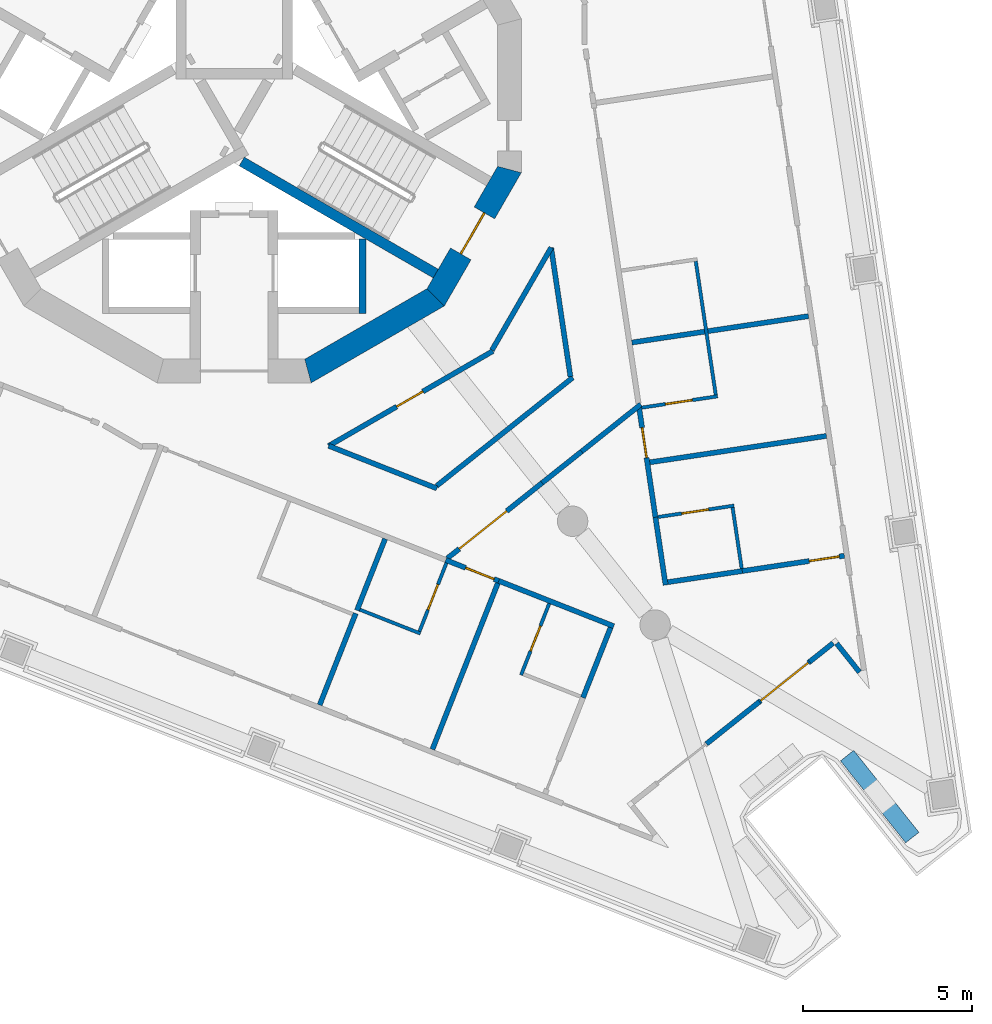
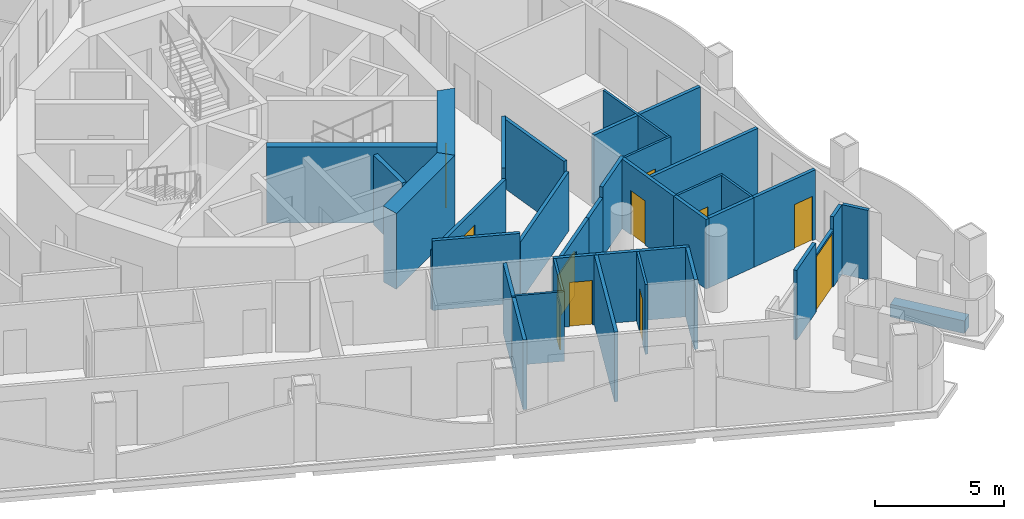
# One storey, part 5 of 16: 36 walls, 11 doors, 11 openings.
"""IFC4 building model written with IfcOpenShell, lengths in metres."""

import ifcopenshell
import ifcopenshell.guid

model = None  # the IFC model being written
_history = None  # IfcOwnerHistory: only IFC2X3 demands one
_inside = {}  # id of a spatial element -> (the spatial element, [elements in it])
_under = {}  # id of a project, library or spatial element -> (it, [spatial elements below it])
_declared = {}  # id of a project -> (the project, [libraries it declares])
_typed = {}  # id of a type object -> (the type object, [elements of that type])
_made_of = {}  # id of a material, layer set ... -> (it, [elements and type objects made of it])


def new_model(schema):
    """Start an empty IFC model of exactly this schema.

    Asked for "IFC4X3", IfcOpenShell would pick the latest addendum, in which some entities
    have other attributes; the version numbers below select the first issue.
    IFC2X3 requires an IfcOwnerHistory on every rooted entity: one is made here for all.
    """
    global model, _history
    if schema == "IFC4X3":
        model = ifcopenshell.file(schema_version=(4, 3, 0, 0))
    else:
        model = ifcopenshell.file(schema=schema)
    _inside.clear()
    _under.clear()
    _declared.clear()
    _typed.clear()
    _made_of.clear()
    _history = None
    if model.schema == "IFC2X3":
        org = make("IfcOrganization", Name="unknown")
        user = make(
            "IfcPersonAndOrganization",
            ThePerson=make("IfcPerson", FamilyName="unknown"),
            TheOrganization=org,
        )
        app = make(
            "IfcApplication",
            ApplicationDeveloper=org,
            Version="unknown",
            ApplicationFullName="unknown",
            ApplicationIdentifier="unknown",
        )
        _history = make(
            "IfcOwnerHistory",
            OwningUser=user,
            OwningApplication=app,
            ChangeAction="ADDED",
            CreationDate=0,
        )
    return model


def make(cls, **values):
    """One entity of the class cls with the attributes given. An attribute that is None is left unset."""
    return model.create_entity(
        cls, **{name: value for name, value in values.items() if value is not None}
    )


def rooted(cls, **values):
    """An entity with a GlobalId (a new one), such as an element, a storey or a relation."""
    return make(cls, GlobalId=ifcopenshell.guid.new(), OwnerHistory=_history, **values)


def si_unit(unit_type, name, prefix=None):
    """IfcSIUnit, for example si_unit("LENGTHUNIT", "METRE", prefix="MILLI")."""
    return make("IfcSIUnit", UnitType=unit_type, Prefix=prefix, Name=name)


def assignment(units):
    """IfcUnitAssignment: the units of a project."""
    return None if units is None else make("IfcUnitAssignment", Units=units)


def point(xyz):
    """IfcCartesianPoint."""
    return None if xyz is None else make("IfcCartesianPoint", Coordinates=xyz)


def direction(xyz):
    """IfcDirection."""
    return None if xyz is None else make("IfcDirection", DirectionRatios=xyz)


def frame(location, z_axis=None, x_axis=None):
    """IfcAxis2Placement3D, a coordinate frame: its origin and axes. An axis left out is left unset."""
    return make(
        "IfcAxis2Placement3D",
        Location=point(location),
        Axis=direction(z_axis),
        RefDirection=direction(x_axis),
    )


def frame_2d(location, x_axis=None):
    """IfcAxis2Placement2D, a coordinate frame in the plane: its origin and x axis."""
    return make(
        "IfcAxis2Placement2D", Location=point(location), RefDirection=direction(x_axis)
    )


def origin():
    """The frame at (0, 0, 0) with its axes left unset."""
    return frame((0.0, 0.0, 0.0))


def place(relative_to, where):
    """IfcLocalPlacement: puts the frame where relative to a parent placement (None: the world)."""
    return make(
        "IfcLocalPlacement", PlacementRelTo=relative_to, RelativePlacement=where
    )


def context(
    kind, dimensions, precision=None, world=None, true_north=None, identifier=None
):
    """IfcGeometricRepresentationContext, for example the 3D "Model" context."""
    return make(
        "IfcGeometricRepresentationContext",
        ContextIdentifier=identifier,
        ContextType=kind,
        CoordinateSpaceDimension=dimensions,
        Precision=precision,
        WorldCoordinateSystem=world,
        TrueNorth=true_north,
    )


def subcontext(parent, identifier, kind, view, scale=None):
    """IfcGeometricRepresentationSubContext, for example "Body" below "Model"."""
    return make(
        "IfcGeometricRepresentationSubContext",
        ContextIdentifier=identifier,
        ContextType=kind,
        ParentContext=parent,
        TargetScale=scale,
        TargetView=view,
    )


def project(units=None, contexts=None):
    """IfcProject with its units and contexts."""
    return rooted(
        "IfcProject",
        Name="project",
        RepresentationContexts=contexts,
        UnitsInContext=assignment(units),
    )


def spatial(cls, under=None, at=None, **own):
    """A site, building, storey or space (cls), placed at a placement, below another one or the project."""
    s = rooted(cls, ObjectPlacement=at, **own)
    if under is not None:
        _under.setdefault(under.id(), (under, []))[1].append(s)
    return s


def polyline(points):
    """IfcPolyline through the points."""
    return make("IfcPolyline", Points=[point(p) for p in points])


def profile(cls, at=None, kind="AREA", **sizes):
    """A parametric profile (cls). Its sizes go by their IFC names, for example OverallWidth=200.0."""
    return make(cls, ProfileType=kind, Position=at, **sizes)


def rectangle(**sizes):
    """IfcRectangleProfileDef."""
    return profile("IfcRectangleProfileDef", **sizes)


def outline(outer, holes=None, kind="AREA"):
    """IfcArbitraryClosedProfileDef: a profile drawn as a closed curve; with holes, ...WithVoids."""
    if holes is None:
        return make("IfcArbitraryClosedProfileDef", ProfileType=kind, OuterCurve=outer)
    return make(
        "IfcArbitraryProfileDefWithVoids",
        ProfileType=kind,
        OuterCurve=outer,
        InnerCurves=holes,
    )


def extrude(swept, where, along, depth):
    """IfcExtrudedAreaSolid: the profile swept, set in the frame where, extruded along a direction by depth."""
    return make(
        "IfcExtrudedAreaSolid",
        SweptArea=swept,
        Position=where,
        ExtrudedDirection=direction(along),
        Depth=depth,
    )


def shape(context_of_items, identifier, shape_type, items):
    """IfcShapeRepresentation: the items that make up one representation, for example the "Body"."""
    return make(
        "IfcShapeRepresentation",
        ContextOfItems=context_of_items,
        RepresentationIdentifier=identifier,
        RepresentationType=shape_type,
        Items=items,
    )


def material(Name=None, Category=None):
    """IfcMaterial."""
    return make("IfcMaterial", Name=Name, Category=Category)


def layer(
    of_material, thickness, ventilated=None, Name=None, Category=None, Priority=None
):
    """IfcMaterialLayer: one layer of a wall or slab, of a material (None: an air gap)."""
    return make(
        "IfcMaterialLayer",
        Material=of_material,
        LayerThickness=thickness,
        IsVentilated=ventilated,
        Name=Name,
        Category=Category,
        Priority=Priority,
    )


def layer_set(layers, Name=None):
    """IfcMaterialLayerSet."""
    return make("IfcMaterialLayerSet", MaterialLayers=layers, LayerSetName=Name)


def made_of(thing, what):
    """Note that an element or type object is made of a material, layer set ...; save() writes the relation."""
    if what is not None:
        _made_of.setdefault(what.id(), (what, []))[1].append(thing)
    return thing


def type_object(cls, material=None, **own):
    """A type object (cls), such as IfcWallType, which elements share."""
    return made_of(rooted(cls, **own), material)


def element(
    cls,
    number,
    at=None,
    inside=None,
    cuts=None,
    type_object=None,
    material=None,
    context=None,
    identifier="Body",
    shape_type=None,
    held_by="IfcProductDefinitionShape",
    body=None,
    shapes=None,
    **own,
):
    """One element of the class cls, such as IfcWall. Its Tag is "e" and its number.

    at: its placement. inside: the storey or other place that contains it. cuts: it is an
    opening in that element (IfcRelVoidsElement). A single representation is given by context,
    identifier, shape_type and body (its items); several are given by shapes. held_by: the class
    of the entity that holds the representations. save() writes the other relations.
    """
    e = rooted(cls, Tag="e%d" % number, ObjectPlacement=at, **own)
    if body is not None:
        shapes = [shape(context, identifier, shape_type, body)]
    if shapes is not None:
        e.Representation = make(held_by, Representations=shapes)
    if inside is not None:
        _inside.setdefault(inside.id(), (inside, []))[1].append(e)
    if cuts is not None:
        rooted(
            "IfcRelVoidsElement", RelatingBuildingElement=cuts, RelatedOpeningElement=e
        )
    if type_object is not None:
        _typed.setdefault(type_object.id(), (type_object, []))[1].append(e)
    return made_of(e, material)


def fill(opening, filler):
    """IfcRelFillsElement: the door or window that sits in an opening."""
    return rooted(
        "IfcRelFillsElement",
        RelatingOpeningElement=opening,
        RelatedBuildingElement=filler,
    )


def aggregate(whole, parts):
    """IfcRelAggregates: a whole, such as a stair, and the parts it consists of."""
    return rooted("IfcRelAggregates", RelatingObject=whole, RelatedObjects=parts)


def save(model, path):
    """Write the relations noted so far, then the file.

    IfcRelAggregates (storeys below a building ...), IfcRelContainedInSpatialStructure (elements
    in a storey), IfcRelDefinesByType, IfcRelAssociatesMaterial and IfcRelDeclares: one each for
    every whole, place, type object, material and project.
    """
    for whole, parts in _under.values():
        aggregate(whole, parts)
    for where, things in _inside.values():
        rooted(
            "IfcRelContainedInSpatialStructure",
            RelatedElements=things,
            RelatingStructure=where,
        )
    for kind, things in _typed.values():
        rooted("IfcRelDefinesByType", RelatedObjects=things, RelatingType=kind)
    for what, things in _made_of.values():
        rooted("IfcRelAssociatesMaterial", RelatedObjects=things, RelatingMaterial=what)
    for by, libraries in _declared.values():
        rooted("IfcRelDeclares", RelatingContext=by, RelatedDefinitions=libraries)
    model.write(path)


model = new_model("IFC4")

# Units and contexts
model_context = context("Model", 3, precision=1e-05, world=origin(), true_north=direction((0.0, 1.0)))
body_context = subcontext(model_context, "Body", "Model", "MODEL_VIEW")
ifc_project = project(units=[si_unit("LENGTHUNIT", "METRE"), si_unit("AREAUNIT", "SQUARE_METRE"), si_unit("VOLUMEUNIT", "CUBIC_METRE"), si_unit("PLANEANGLEUNIT", "RADIAN"), si_unit("MASSUNIT", "GRAM", prefix="KILO")], contexts=[model_context])

# Site, building, storey
site_placement = place(None, origin())
site = spatial("IfcSite", under=ifc_project, at=site_placement, CompositionType="ELEMENT")
building_placement = place(site_placement, origin())
building = spatial("IfcBuilding", under=site, at=building_placement, Name="Trine Commons Tower", CompositionType="ELEMENT")
storey_placement = place(building_placement, frame((0.0, 0.0, 205.199951171875)))
storey = spatial("IfcBuildingStorey", under=building, at=storey_placement, Name="L53", CompositionType="ELEMENT", Elevation=205.199951171875)

# Walls
ifc_material_1 = material(Name="Aluminium-framed insulated wall panel", Category="aluminium")
ifc_layer_1 = layer(ifc_material_1, 0.14990234375)
ifc_layer_set_1 = layer_set([ifc_layer_1], Name="Aluminium-framed insulated wall panel")
wall_type_1 = type_object("IfcWallType", Name="Glazed frame wall 150, EI 60", PredefinedType="SOLIDWALL", material=ifc_layer_set_1)
wall_1_placement = place(storey_placement, frame((98.603759765625, 45.320556640625, 0.0), z_axis=(0.0, 0.0, 1.0), x_axis=(-0.6225008228, 0.782619144676, 0.0)))
element("IfcWall", 1, at=wall_1_placement, inside=storey, type_object=wall_type_1, Name="Glazed frame wall R6", PredefinedType="SOLIDWALL", context=body_context, shape_type="SweptSolid", body=[
    extrude(outline(polyline([(0.1494140625, 0.074951171875), (0.1494140625, -0.074951171875), (1.235107421875, -0.074951171875), (1.235107421875, 0.074951171875), (0.1494140625, 0.074951171875)])), origin(), (0.0, 0.0, 1.0), 3.300048828125),
])
wall_2_placement = place(storey_placement, frame((97.815673828125, 46.367431640625, 0.0), z_axis=(0.0, 0.0, 1.0), x_axis=(-0.78265242488, -0.622458980037, 0.0)))
element("IfcWall", 2, at=wall_2_placement, inside=storey, type_object=wall_type_1, Name="Glazed frame wall P2.1", PredefinedType="SOLIDWALL", context=body_context, shape_type="SweptSolid", body=[
    extrude(outline(polyline([(0.110107421875, -0.074951171875), (1.0, -0.074951171875), (1.0, 0.074951171875), (0.110107421875, 0.074951171875), (0.110107421875, -0.074951171875)])), origin(), (0.0, 0.0, 1.0), 3.300048828125),
])

# Wall, opening, door
wall_3_placement = place(storey_placement, frame((97.033203125, 45.7451171875, 0.0), z_axis=(0.0, 0.0, 1.0), x_axis=(-0.782608167395, -0.622514623384, 0.0)))
wall_3 = element("IfcWall", 3, at=wall_3_placement, inside=storey, type_object=wall_type_1, Name="Glazed frame wall P2.2", PredefinedType="SOLIDWALL", context=body_context, shape_type="SweptSolid", body=[
    extrude(outline(polyline([(0.0, -0.074951171875), (1.89990234375, -0.074951171875), (1.89990234375, 0.074951171875), (0.0, 0.074951171875), (0.0, -0.074951171875)])), origin(), (0.0, 0.0, 1.0), 2.699951171875),
])
opening_1_placement = place(wall_3_placement, frame((0.050048828125, 0.0, 0.0)))
opening_1 = element("IfcOpeningElement", 4, at=opening_1_placement, cuts=wall_3, Name="Opening BD-6P2-01", PredefinedType="OPENING", context=body_context, shape_type="SweptSolid", body=[
    extrude(rectangle(XDim=1.800048828125, YDim=2.60009765625, at=frame_2d((0.89990234375, 1.300048828125))), frame((0.0, 0.0849609375, 0.0), z_axis=(0.0, -1.0, 0.0), x_axis=(1.0, 0.0, 0.0)), (0.0, 0.0, 1.0), 0.169921875),
])
ifc_material_2 = material(Name="Anodised aluminium frame with double glazing", Category="aluminium")
door_type_1 = type_object("IfcDoorType", Name="Sliding loggia door 1800x2600", OperationType="SLIDING_TO_LEFT", PredefinedType="DOOR", material=ifc_material_2)
door_1_placement = place(opening_1_placement, origin())
door_1 = element("IfcDoor", 5, at=door_1_placement, inside=storey, type_object=door_type_1, Name="Loggia door P2 1", OperationType="SLIDING_TO_LEFT", OverallHeight=2.60009765625, OverallWidth=1.800048828125, PredefinedType="DOOR", context=body_context, shape_type="SweptSolid", body=[
    extrude(rectangle(XDim=1.800048828125, YDim=2.60009765625, at=frame_2d((0.89990234375, 1.300048828125))), frame((0.0, 0.02490234375, 0.0), z_axis=(0.0, -1.0, 0.0), x_axis=(1.0, 0.0, 0.0)), (0.0, 0.0, 1.0), 0.050048828125),
])
fill(opening_1, door_1)

# Walls
wall_4_placement = place(storey_placement, frame((95.546142578125, 44.562255859375, 0.0), z_axis=(0.0, 0.0, 1.0), x_axis=(-0.782580779818, -0.622549052733, 0.0)))
element("IfcWall", 6, at=wall_4_placement, inside=storey, type_object=wall_type_1, Name="Glazed frame wall P2.3", PredefinedType="SOLIDWALL", context=body_context, shape_type="SweptSolid", body=[
    extrude(outline(polyline([(0.0, -0.074951171875), (2.0, -0.074951171875), (2.0, 0.074951171875), (0.0, 0.074951171875), (0.0, -0.074951171875)])), origin(), (0.0, 0.0, 1.0), 3.300048828125),
])
ifc_material_3 = material(Name="Planter trough, precast concrete C40/50", Category="concrete")
ifc_layer_2 = layer(ifc_material_3, 0.5)
ifc_layer_set_2 = layer_set([ifc_layer_2], Name="Planter trough, precast concrete C40/50")
wall_type_2 = type_object("IfcWallType", Name="Planter trough 500x600", PredefinedType="PARAPET", material=ifc_layer_set_2)
wall_5_placement = place(storey_placement, frame((100.0732421875, 40.54150390625, 0.0), z_axis=(0.0, 0.0, 1.0), x_axis=(-0.622502736232, 0.782617622715, 0.0)))
element("IfcWall", 7, at=wall_5_placement, inside=storey, type_object=wall_type_2, Name="Planter 7", PredefinedType="PARAPET", context=body_context, shape_type="SweptSolid", body=[
    extrude(rectangle(XDim=3.099853515625, YDim=0.5, at=frame_2d((1.5498046875, 0.0))), origin(), (0.0, 0.0, 1.0), 0.60009765625),
])
ifc_material_4 = material(Name="Concrete C60/75", Category="concrete")
ifc_layer_3 = layer(ifc_material_4, 0.300048828125)
ifc_layer_set_3 = layer_set([ifc_layer_3], Name="Concrete C60/75")
wall_type_3 = type_object("IfcWallType", Name="RC shear wall 300 mm, C60/75", PredefinedType="SHEAR", material=ifc_layer_set_3)
wall_6_placement = place(storey_placement, frame((80.22509765625, 60.552001953125, 0.0), z_axis=(0.0, 0.0, 1.0), x_axis=(0.866009627307, -0.500027324665, 0.0)))
element("IfcWall", 8, at=wall_6_placement, inside=storey, type_object=wall_type_3, Name="Core cross wall SWC-13 L53", PredefinedType="SHEAR", context=body_context, shape_type="SweptSolid", body=[
    extrude(rectangle(XDim=6.631591796875, YDim=0.300048828125, at=frame_2d((3.31591796875, 0.0))), origin(), (0.0, 0.0, 1.0), 3.60009765625),
])
ifc_layer_4 = layer(ifc_material_4, 0.699951171875)
ifc_layer_set_4 = layer_set([ifc_layer_4], Name="Concrete C60/75")
wall_type_4 = type_object("IfcWallType", Name="RC shear wall 700 mm, C60/75", PredefinedType="SHEAR", material=ifc_layer_set_4)
wall_7_placement = place(storey_placement, frame((82.1025390625, 54.302978515625, 0.0), z_axis=(0.0, 0.0, 1.0), x_axis=(0.866034756103, 0.499983800959, 0.0)))
element("IfcWall", 9, at=wall_7_placement, inside=storey, type_object=wall_type_4, Name="Core wall CWF-11 L53", PredefinedType="SHEAR", context=body_context, shape_type="SweptSolid", body=[
    extrude(outline(polyline([(0.0, -0.35009765625), (4.55517578125, -0.35009765625), (4.36767578125, 0.35009765625), (0.1875, 0.35009765625), (0.0, -0.35009765625)])), origin(), (0.0, 0.0, 1.0), 3.60009765625),
])

# Wall, opening, door
wall_8_placement = place(storey_placement, frame((85.91943359375, 56.452392578125, 0.0), z_axis=(0.0, 0.0, 1.0), x_axis=(0.499983800959, 0.866034756103, 0.0)))
wall_8 = element("IfcWall", 10, at=wall_8_placement, inside=storey, type_object=wall_type_4, Name="Core wall CWF-12 L53", PredefinedType="SHEAR", context=body_context, shape_type="SweptSolid", body=[
    extrude(outline(polyline([(0.0, -0.35009765625), (4.55517578125, -0.35009765625), (4.36767578125, 0.35009765625), (0.1875, 0.35009765625), (0.0, -0.35009765625)])), origin(), (0.0, 0.0, 1.0), 3.60009765625),
])
opening_2_placement = place(wall_8_placement, frame((1.577392578125, 0.0, 0.0)))
opening_2 = element("IfcOpeningElement", 11, at=opening_2_placement, cuts=wall_8, Name="Opening K15.03", PredefinedType="OPENING", context=body_context, shape_type="SweptSolid", body=[
    extrude(rectangle(XDim=1.39990234375, YDim=2.10009765625, at=frame_2d((0.699951171875, 1.050048828125))), frame((0.0, 0.35986328125, 0.0), z_axis=(0.0, -1.0, 0.0), x_axis=(1.0, 0.0, 0.0)), (0.0, 0.0, 1.0), 0.719970703125),
])
ifc_material_5 = material(Name="Steel door leaves, fire-rated", Category="steel")
door_type_2 = type_object("IfcDoorType", Name="Stair door, double leaf 1400 x 2100, FD90", OperationType="DOUBLE_DOOR_SINGLE_SWING", PredefinedType="DOOR", material=ifc_material_5)
door_2_placement = place(opening_2_placement, origin())
door_2 = element("IfcDoor", 12, at=door_2_placement, inside=storey, type_object=door_type_2, Name="Stair door to Exit stair ST3C L53", OperationType="DOUBLE_DOOR_SINGLE_SWING", OverallHeight=2.10009765625, OverallWidth=1.39990234375, PredefinedType="DOOR", context=body_context, shape_type="SweptSolid", body=[
    extrude(rectangle(XDim=1.39990234375, YDim=2.10009765625, at=frame_2d((0.699951171875, 1.050048828125))), frame((0.0, 0.02490234375, 0.0), z_axis=(0.0, -1.0, 0.0), x_axis=(1.0, 0.0, 0.0)), (0.0, 0.0, 1.0), 0.050048828125),
])
fill(opening_2, door_2)

# Walls
ifc_material_6 = material(Name="Fire-rated gypsum shaft wall system")
ifc_layer_5 = layer(ifc_material_6, 0.199951171875)
ifc_layer_set_5 = layer_set([ifc_layer_5], Name="Fire-rated gypsum shaft wall system")
wall_type_5 = type_object("IfcWallType", Name="Shaft wall 200 mm, EI 120", PredefinedType="PARTITIONING", material=ifc_layer_set_5)
wall_9_placement = place(storey_placement, frame((83.800048828125, 58.257080078125, 0.0), z_axis=(0.0, 0.0, 1.0), x_axis=(0.0, -1.0, 0.0)))
element("IfcWall", 13, at=wall_9_placement, inside=storey, type_object=wall_type_5, Name="Shaft wall L53", PredefinedType="PARTITIONING", context=body_context, shape_type="SweptSolid", body=[
    extrude(rectangle(XDim=2.20703125, YDim=0.199951171875, at=frame_2d((1.103515625, 0.0))), origin(), (0.0, 0.0, 1.0), 3.300048828125),
])
ifc_material_7 = material(Name="Gypsum plasterboard on steel stud", Category="steel")
ifc_layer_6 = layer(ifc_material_7, 0.14990234375)
ifc_layer_set_6 = layer_set([ifc_layer_6], Name="Gypsum plasterboard on steel stud")
wall_type_6 = type_object("IfcWallType", Name="Unit and corridor wall 150 mm, EI 60", PredefinedType="PARTITIONING", material=ifc_layer_set_6)
wall_10_placement = place(storey_placement, frame((82.53173828125, 44.46728515625, 0.0), z_axis=(0.0, 0.0, 1.0), x_axis=(0.366805887966, 0.9302975011, 0.0)))
element("IfcWall", 14, at=wall_10_placement, inside=storey, type_object=wall_type_6, Name="Partition 064", PredefinedType="PARTITIONING", context=body_context, shape_type="SweptSolid", body=[
    extrude(rectangle(XDim=2.913330078125, YDim=0.14990234375, at=frame_2d((1.45654296875, 0.0))), origin(), (0.0, 0.0, 1.0), 3.300048828125),
])

# Wall, opening, door
wall_11_placement = place(storey_placement, frame((82.798095703125, 52.135009765625, 0.0), z_axis=(0.0, 0.0, 1.0), x_axis=(0.865994393525, 0.500053707499, 0.0)))
wall_11 = element("IfcWall", 15, at=wall_11_placement, inside=storey, type_object=wall_type_6, Name="Partition 067", PredefinedType="PARTITIONING", context=body_context, shape_type="SweptSolid", body=[
    extrude(rectangle(XDim=5.6142578125, YDim=0.14990234375, at=frame_2d((2.80712890625, 0.0))), origin(), (0.0, 0.0, 1.0), 2.800048828125),
])
opening_3_placement = place(wall_11_placement, frame((2.321533203125, 0.0, 0.0)))
opening_3 = element("IfcOpeningElement", 16, at=opening_3_placement, cuts=wall_11, Name="Opening D-6A26", PredefinedType="OPENING", context=body_context, shape_type="SweptSolid", body=[
    extrude(rectangle(XDim=0.89990234375, YDim=2.10009765625, at=frame_2d((0.449951171875, 1.050048828125))), frame((0.0, 0.0849609375, 0.0), z_axis=(0.0, -1.0, 0.0), x_axis=(1.0, 0.0, 0.0)), (0.0, 0.0, 1.0), 0.169921875),
])
ifc_material_8 = material(Name="Timber fire door set", Category="wood")
door_type_3 = type_object("IfcDoorType", Name="Service door 900 x 2100, FD30S", OperationType="NOTDEFINED", PredefinedType="DOOR", material=ifc_material_8)
door_3_placement = place(opening_3_placement, frame((0.89990234375, 0.0, 0.0), z_axis=(0.0, 0.0, 1.0), x_axis=(-1.0, 0.0, 0.0)))
door_3 = element("IfcDoor", 17, at=door_3_placement, inside=storey, type_object=door_type_3, Name="Door D-6A26", OperationType="SINGLE_SWING_RIGHT", OverallHeight=2.10009765625, OverallWidth=0.89990234375, PredefinedType="DOOR", context=body_context, shape_type="SweptSolid", body=[
    extrude(rectangle(XDim=0.89990234375, YDim=2.10009765625, at=frame_2d((0.449951171875, 1.050048828125))), frame((0.0, 0.02490234375, 0.0), z_axis=(0.0, -1.0, 0.0), x_axis=(1.0, 0.0, 0.0)), (0.0, 0.0, 1.0), 0.050048828125),
])
fill(opening_3, door_3)

# Walls
wall_12_placement = place(storey_placement, frame((82.801025390625, 52.136962890625, 0.0), z_axis=(0.0, 0.0, 1.0), x_axis=(0.930387129981, -0.366578488685, 0.0)))
element("IfcWall", 18, at=wall_12_placement, inside=storey, type_object=wall_type_6, Name="Partition 068", PredefinedType="PARTITIONING", context=body_context, shape_type="SweptSolid", body=[
    extrude(rectangle(XDim=3.441162109375, YDim=0.14990234375, at=frame_2d((1.720703125, 0.0))), origin(), (0.0, 0.0, 1.0), 3.300048828125),
])
wall_13_placement = place(storey_placement, frame((83.6357421875, 47.267578125, 0.0), z_axis=(0.0, 0.0, 1.0), x_axis=(0.366482291334, 0.930425026608, 0.0)))
element("IfcWall", 19, at=wall_13_placement, inside=storey, type_object=wall_type_6, Name="Partition 072", PredefinedType="PARTITIONING", context=body_context, shape_type="SweptSolid", body=[
    extrude(rectangle(XDim=2.27490234375, YDim=0.14990234375, at=frame_2d((1.137451171875, 0.0))), origin(), (0.0, 0.0, 1.0), 3.300048828125),
])
wall_14_placement = place(storey_placement, frame((85.86865234375, 43.152099609375, 0.0), z_axis=(0.0, 0.0, 1.0), x_axis=(0.366408201445, 0.930454206242, 0.0)))
element("IfcWall", 20, at=wall_14_placement, inside=storey, type_object=wall_type_6, Name="Partition 080", PredefinedType="PARTITIONING", context=body_context, shape_type="SweptSolid", body=[
    extrude(rectangle(XDim=5.285888671875, YDim=0.14990234375, at=frame_2d((2.64306640625, 0.0))), origin(), (0.0, 0.0, 1.0), 3.300048828125),
])
wall_15_placement = place(storey_placement, frame((85.99169921875, 50.94970703125, 0.0), z_axis=(0.0, 0.0, 1.0), x_axis=(0.782530221945, 0.622612601657, 0.0)))
element("IfcWall", 21, at=wall_15_placement, inside=storey, type_object=wall_type_6, Name="Partition 081", PredefinedType="PARTITIONING", context=body_context, shape_type="SweptSolid", body=[
    extrude(rectangle(XDim=5.152587890625, YDim=0.14990234375, at=frame_2d((2.576171875, 0.0))), origin(), (0.0, 0.0, 1.0), 2.800048828125),
])

# Wall, opening, door
wall_16_placement = place(storey_placement, frame((86.311767578125, 48.80859375, 0.0), z_axis=(0.0, 0.0, 1.0), x_axis=(0.782487894098, 0.622665797672, 0.0)))
wall_16 = element("IfcWall", 22, at=wall_16_placement, inside=storey, type_object=wall_type_6, Name="Partition 082", PredefinedType="PARTITIONING", context=body_context, shape_type="SweptSolid", body=[
    extrude(rectangle(XDim=3.583740234375, YDim=0.14990234375, at=frame_2d((1.7919921875, 0.0))), origin(), (0.0, 0.0, 1.0), 2.800048828125),
])
opening_4_placement = place(wall_16_placement, frame((0.44677734375, 0.0, 0.0)))
opening_4 = element("IfcOpeningElement", 23, at=opening_4_placement, cuts=wall_16, Name="Opening D-6A02", PredefinedType="OPENING", context=body_context, shape_type="SweptSolid", body=[
    extrude(rectangle(XDim=1.800048828125, YDim=2.10009765625, at=frame_2d((0.89990234375, 1.050048828125))), frame((0.0, 0.0849609375, 0.0), z_axis=(0.0, -1.0, 0.0), x_axis=(1.0, 0.0, 0.0)), (0.0, 0.0, 1.0), 0.169921875),
])
door_type_4 = type_object("IfcDoorType", Name="Cluster entrance door 1800 x 2100, double leaf, FD30S", OperationType="DOUBLE_DOOR_DOUBLE_SWING", PredefinedType="DOOR", material=ifc_material_8)
door_4_placement = place(opening_4_placement, frame((1.800048828125, 0.0, 0.0), z_axis=(0.0, 0.0, 1.0), x_axis=(-1.0, 0.0, 0.0)))
door_4 = element("IfcDoor", 24, at=door_4_placement, inside=storey, type_object=door_type_4, Name="Door D-6A02", OperationType="DOUBLE_DOOR_DOUBLE_SWING", OverallHeight=2.10009765625, OverallWidth=1.800048828125, PredefinedType="DOOR", context=body_context, shape_type="SweptSolid", body=[
    extrude(rectangle(XDim=1.800048828125, YDim=2.10009765625, at=frame_2d((0.89990234375, 1.050048828125))), frame((0.0, 0.02490234375, 0.0), z_axis=(0.0, -1.0, 0.0), x_axis=(1.0, 0.0, 0.0)), (0.0, 0.0, 1.0), 0.050048828125),
])
fill(opening_4, door_4)

wall_17_placement = place(storey_placement, frame((86.261474609375, 48.75927734375, 0.0), z_axis=(0.0, 0.0, 1.0), x_axis=(0.930348637747, -0.366676168085, 0.0)))
wall_17 = element("IfcWall", 25, at=wall_17_placement, inside=storey, type_object=wall_type_6, Name="Partition 083", PredefinedType="PARTITIONING", context=body_context, shape_type="SweptSolid", body=[
    extrude(rectangle(XDim=1.689208984375, YDim=0.14990234375, at=frame_2d((0.8447265625, 0.0))), origin(), (0.0, 0.0, 1.0), 3.300048828125),
])
opening_5_placement = place(wall_17_placement, frame((0.63916015625, 0.0, 0.0)))
opening_5 = element("IfcOpeningElement", 26, at=opening_5_placement, cuts=wall_17, Name="Opening D-6A21", PredefinedType="OPENING", context=body_context, shape_type="SweptSolid", body=[
    extrude(rectangle(XDim=0.89990234375, YDim=2.10009765625, at=frame_2d((0.449951171875, 1.050048828125))), frame((0.0, 0.0849609375, 0.0), z_axis=(0.0, -1.0, 0.0), x_axis=(1.0, 0.0, 0.0)), (0.0, 0.0, 1.0), 0.169921875),
])
door_type_5 = type_object("IfcDoorType", Name="Bedroom door 900 x 2100, FD30S", OperationType="NOTDEFINED", PredefinedType="DOOR", material=ifc_material_8)
door_5_placement = place(opening_5_placement, frame((0.89990234375, 0.0, 0.0), z_axis=(0.0, 0.0, 1.0), x_axis=(-1.0, 0.0, 0.0)))
door_5 = element("IfcDoor", 27, at=door_5_placement, inside=storey, type_object=door_type_5, Name="Door D-6A21", OperationType="SINGLE_SWING_LEFT", OverallHeight=2.10009765625, OverallWidth=0.89990234375, PredefinedType="DOOR", context=body_context, shape_type="SweptSolid", body=[
    extrude(rectangle(XDim=0.89990234375, YDim=2.10009765625, at=frame_2d((0.449951171875, 1.050048828125))), frame((0.0, 0.02490234375, 0.0), z_axis=(0.0, -1.0, 0.0), x_axis=(1.0, 0.0, 0.0)), (0.0, 0.0, 1.0), 0.050048828125),
])
fill(opening_5, door_5)

# Walls
wall_18_placement = place(storey_placement, frame((87.632568359375, 54.969970703125, 0.0), z_axis=(0.0, 0.0, 1.0), x_axis=(0.50005009493, 0.865996479531, 0.0)))
element("IfcWall", 28, at=wall_18_placement, inside=storey, type_object=wall_type_6, Name="Partition 086", PredefinedType="PARTITIONING", context=body_context, shape_type="SweptSolid", body=[
    extrude(rectangle(XDim=3.504638671875, YDim=0.14990234375, at=frame_2d((1.75244140625, 0.0))), origin(), (0.0, 0.0, 1.0), 3.300048828125),
])
wall_19_placement = place(storey_placement, frame((87.8330078125, 48.139892578125, 0.0), z_axis=(0.0, 0.0, 1.0), x_axis=(0.930350489768, -0.366671469014, 0.0)))
element("IfcWall", 29, at=wall_19_placement, inside=storey, type_object=wall_type_6, Name="Partition 087", PredefinedType="PARTITIONING", context=body_context, shape_type="SweptSolid", body=[
    extrude(rectangle(XDim=3.66064453125, YDim=0.14990234375, at=frame_2d((1.830322265625, 0.0))), origin(), (0.0, 0.0, 1.0), 3.300048828125),
])
wall_20_placement = place(storey_placement, frame((89.115966796875, 51.0400390625, 0.0), z_axis=(0.0, 0.0, 1.0), x_axis=(0.7828906441, 0.622159336007, 0.0)))
element("IfcWall", 30, at=wall_20_placement, inside=storey, type_object=wall_type_6, Name="Partition 099", PredefinedType="PARTITIONING", context=body_context, shape_type="SweptSolid", body=[
    extrude(rectangle(XDim=1.4931640625, YDim=0.14990234375, at=frame_2d((0.74658203125, 0.0))), origin(), (0.0, 0.0, 1.0), 2.800048828125),
])
wall_21_placement = place(storey_placement, frame((89.383056640625, 58.001953125, 0.0), z_axis=(0.0, 0.0, 1.0), x_axis=(0.14791043165, -0.989000760469, 0.0)))
element("IfcWall", 31, at=wall_21_placement, inside=storey, type_object=wall_type_6, Name="Partition 103", PredefinedType="PARTITIONING", context=body_context, shape_type="SweptSolid", body=[
    extrude(rectangle(XDim=3.859130859375, YDim=0.14990234375, at=frame_2d((1.9296875, 0.0))), origin(), (0.0, 0.0, 1.0), 3.300048828125),
])
wall_22_placement = place(storey_placement, frame((90.284912109375, 51.968994140625, 0.0), z_axis=(0.0, 0.0, 1.0), x_axis=(0.782471905859, 0.622685889145, 0.0)))
element("IfcWall", 32, at=wall_22_placement, inside=storey, type_object=wall_type_6, Name="Partition 107", PredefinedType="PARTITIONING", context=body_context, shape_type="SweptSolid", body=[
    extrude(rectangle(XDim=2.239990234375, YDim=0.14990234375, at=frame_2d((1.1201171875, 0.0))), origin(), (0.0, 0.0, 1.0), 3.300048828125),
])
wall_23_placement = place(storey_placement, frame((90.324951171875, 44.681884765625, 0.0), z_axis=(0.0, 0.0, 1.0), x_axis=(0.366492903007, 0.930420846738, 0.0)))
element("IfcWall", 33, at=wall_23_placement, inside=storey, type_object=wall_type_6, Name="Partition 108", PredefinedType="PARTITIONING", context=body_context, shape_type="SweptSolid", body=[
    extrude(rectangle(XDim=2.228271484375, YDim=0.14990234375, at=frame_2d((1.1142578125, 0.0))), origin(), (0.0, 0.0, 1.0), 3.300048828125),
])
wall_24_placement = place(storey_placement, frame((91.774169921875, 55.195068359375, 0.0), z_axis=(0.0, 0.0, 1.0), x_axis=(0.98902190879, 0.147768954566, 0.0)))
element("IfcWall", 34, at=wall_24_placement, inside=storey, type_object=wall_type_6, Name="Partition 115", PredefinedType="PARTITIONING", context=body_context, shape_type="SweptSolid", body=[
    extrude(rectangle(XDim=5.285400390625, YDim=0.14990234375, at=frame_2d((2.642578125, 0.0))), origin(), (0.0, 0.0, 1.0), 3.300048828125),
])

# Wall, opening, door
wall_25_placement = place(storey_placement, frame((91.980712890625, 53.3095703125, 0.0), z_axis=(0.0, 0.0, 1.0), x_axis=(0.147462331027, -0.989067672572, 0.0)))
wall_25 = element("IfcWall", 35, at=wall_25_placement, inside=storey, type_object=wall_type_6, Name="Partition 116", PredefinedType="PARTITIONING", context=body_context, shape_type="SweptSolid", body=[
    extrude(rectangle(XDim=3.3310546875, YDim=0.14990234375, at=frame_2d((1.66552734375, 0.0))), origin(), (0.0, 0.0, 1.0), 3.300048828125),
])
opening_6_placement = place(wall_25_placement, frame((0.639892578125, 0.0, 0.0)))
opening_6 = element("IfcOpeningElement", 36, at=opening_6_placement, cuts=wall_25, Name="Opening D-6A18", PredefinedType="OPENING", context=body_context, shape_type="SweptSolid", body=[
    extrude(rectangle(XDim=0.89990234375, YDim=2.10009765625, at=frame_2d((0.449951171875, 1.050048828125))), frame((0.0, 0.0849609375, 0.0), z_axis=(0.0, -1.0, 0.0), x_axis=(1.0, 0.0, 0.0)), (0.0, 0.0, 1.0), 0.169921875),
])
door_6_placement = place(opening_6_placement, origin())
door_6 = element("IfcDoor", 37, at=door_6_placement, inside=storey, type_object=door_type_5, Name="Door D-6A18", OperationType="SINGLE_SWING_LEFT", OverallHeight=2.10009765625, OverallWidth=0.89990234375, PredefinedType="DOOR", context=body_context, shape_type="SweptSolid", body=[
    extrude(rectangle(XDim=0.89990234375, YDim=2.10009765625, at=frame_2d((0.449951171875, 1.050048828125))), frame((0.0, 0.02490234375, 0.0), z_axis=(0.0, -1.0, 0.0), x_axis=(1.0, 0.0, 0.0)), (0.0, 0.0, 1.0), 0.050048828125),
])
fill(opening_6, door_6)

# Walls
wall_26_placement = place(storey_placement, frame((92.30419921875, 51.649169921875, 0.0), z_axis=(0.0, 0.0, 1.0), x_axis=(0.98902190879, 0.147768954566, 0.0)))
element("IfcWall", 38, at=wall_26_placement, inside=storey, type_object=wall_type_6, Name="Partition 118", PredefinedType="PARTITIONING", context=body_context, shape_type="SweptSolid", body=[
    extrude(rectangle(XDim=5.285400390625, YDim=0.14990234375, at=frame_2d((2.642578125, 0.0))), origin(), (0.0, 0.0, 1.0), 3.300048828125),
])
wall_27_placement = place(storey_placement, frame((92.470947265625, 50.02294921875, 0.0), z_axis=(0.0, 0.0, 1.0), x_axis=(0.147922563544, -0.988998946003, 0.0)))
element("IfcWall", 39, at=wall_27_placement, inside=storey, type_object=wall_type_6, Name="Partition 119", PredefinedType="PARTITIONING", context=body_context, shape_type="SweptSolid", body=[
    extrude(rectangle(XDim=2.0283203125, YDim=0.14990234375, at=frame_2d((1.01416015625, 0.0))), origin(), (0.0, 0.0, 1.0), 3.300048828125),
])
wall_28_placement = place(storey_placement, frame((92.834228515625, 48.10205078125, 0.0), z_axis=(0.0, 0.0, 1.0), x_axis=(0.989058920162, 0.147521023747, 0.0)))
element("IfcWall", 40, at=wall_28_placement, inside=storey, type_object=wall_type_6, Name="Partition 121", PredefinedType="PARTITIONING", context=body_context, shape_type="SweptSolid", body=[
    extrude(rectangle(XDim=2.229248046875, YDim=0.14990234375, at=frame_2d((1.11474609375, 0.0))), origin(), (0.0, 0.0, 1.0), 3.300048828125),
])

# Wall, opening, door
wall_29_placement = place(storey_placement, frame((94.9814453125, 48.422607421875, 0.0), z_axis=(0.0, 0.0, 1.0), x_axis=(0.989008118829, 0.147861221729, 0.0)))
wall_29 = element("IfcWall", 41, at=wall_29_placement, inside=storey, type_object=wall_type_6, Name="Partition 124", PredefinedType="PARTITIONING", context=body_context, shape_type="SweptSolid", body=[
    extrude(rectangle(XDim=3.114013671875, YDim=0.14990234375, at=frame_2d((1.55712890625, 0.0))), origin(), (0.0, 0.0, 1.0), 3.300048828125),
])
opening_7_placement = place(wall_29_placement, frame((2.064208984375, 0.0, 0.0)))
opening_7 = element("IfcOpeningElement", 42, at=opening_7_placement, cuts=wall_29, Name="Opening D-6A19", PredefinedType="OPENING", context=body_context, shape_type="SweptSolid", body=[
    extrude(rectangle(XDim=0.89990234375, YDim=2.10009765625, at=frame_2d((0.449951171875, 1.050048828125))), frame((0.0, 0.0849609375, 0.0), z_axis=(0.0, -1.0, 0.0), x_axis=(1.0, 0.0, 0.0)), (0.0, 0.0, 1.0), 0.169921875),
])
door_7_placement = place(opening_7_placement, origin())
door_7 = element("IfcDoor", 43, at=door_7_placement, inside=storey, type_object=door_type_5, Name="Door D-6A19", OperationType="SINGLE_SWING_RIGHT", OverallHeight=2.10009765625, OverallWidth=0.89990234375, PredefinedType="DOOR", context=body_context, shape_type="SweptSolid", body=[
    extrude(rectangle(XDim=0.89990234375, YDim=2.10009765625, at=frame_2d((0.449951171875, 1.050048828125))), frame((0.0, 0.02490234375, 0.0), z_axis=(0.0, -1.0, 0.0), x_axis=(1.0, 0.0, 0.0)), (0.0, 0.0, 1.0), 0.050048828125),
])
fill(opening_7, door_7)

# Wall
ifc_layer_7 = layer(ifc_material_7, 0.10009765625)
ifc_layer_set_7 = layer_set([ifc_layer_7], Name="Gypsum plasterboard on steel stud")
wall_type_7 = type_object("IfcWallType", Name="Unit partition 100 mm, no rating", PredefinedType="PARTITIONING", material=ifc_layer_set_7)
wall_30_placement = place(storey_placement, frame((83.723876953125, 47.28662109375, 0.0), z_axis=(0.0, 0.0, 1.0), x_axis=(0.930328407888, -0.36672749212, 0.0)))
element("IfcWall", 44, at=wall_30_placement, inside=storey, type_object=wall_type_7, Name="Partition 073", PredefinedType="PARTITIONING", context=body_context, shape_type="SweptSolid", body=[
    extrude(rectangle(XDim=1.924560546875, YDim=0.10009765625, at=frame_2d((0.96240234375, 0.0))), origin(), (0.0, 0.0, 1.0), 3.300048828125),
])

# Wall, opening, door
wall_31_placement = place(storey_placement, frame((85.486328125, 46.6455078125, 0.0), z_axis=(0.0, 0.0, 1.0), x_axis=(0.366489184141, 0.930422311592, 0.0)))
wall_31 = element("IfcWall", 45, at=wall_31_placement, inside=storey, type_object=wall_type_7, Name="Partition 079", PredefinedType="PARTITIONING", context=body_context, shape_type="SweptSolid", body=[
    extrude(rectangle(XDim=2.175048828125, YDim=0.10009765625, at=frame_2d((1.08740234375, 0.0))), origin(), (0.0, 0.0, 1.0), 3.300048828125),
])
opening_8_placement = place(wall_31_placement, frame((0.6875, 0.0, 0.0)))
opening_8 = element("IfcOpeningElement", 46, at=opening_8_placement, cuts=wall_31, Name="Opening D-6A41", PredefinedType="OPENING", context=body_context, shape_type="SweptSolid", body=[
    extrude(rectangle(XDim=0.800048828125, YDim=2.10009765625, at=frame_2d((0.39990234375, 1.050048828125))), frame((0.0, 0.06005859375, 0.0), z_axis=(0.0, -1.0, 0.0), x_axis=(1.0, 0.0, 0.0)), (0.0, 0.0, 1.0), 0.1201171875),
])
ifc_material_9 = material(Name="Painted timber", Category="wood")
door_type_6 = type_object("IfcDoorType", Name="Internal door 800 x 2100, NOT RATED", OperationType="NOTDEFINED", PredefinedType="DOOR", material=ifc_material_9)
door_8_placement = place(opening_8_placement, frame((0.800048828125, 0.0, 0.0), z_axis=(0.0, 0.0, 1.0), x_axis=(-1.0, 0.0, 0.0)))
door_8 = element("IfcDoor", 47, at=door_8_placement, inside=storey, type_object=door_type_6, Name="Door D-6A41", OperationType="SINGLE_SWING_LEFT", OverallHeight=2.10009765625, OverallWidth=0.800048828125, PredefinedType="DOOR", context=body_context, shape_type="SweptSolid", body=[
    extrude(rectangle(XDim=0.800048828125, YDim=2.10009765625, at=frame_2d((0.39990234375, 1.050048828125))), frame((0.0, 0.02490234375, 0.0), z_axis=(0.0, -1.0, 0.0), x_axis=(1.0, 0.0, 0.0)), (0.0, 0.0, 1.0), 0.050048828125),
])
fill(opening_8, door_8)

wall_32_placement = place(storey_placement, frame((88.49365234375, 45.353515625, 0.0), z_axis=(0.0, 0.0, 1.0), x_axis=(0.366482291334, 0.930425026608, 0.0)))
wall_32 = element("IfcWall", 48, at=wall_32_placement, inside=storey, type_object=wall_type_7, Name="Partition 092", PredefinedType="PARTITIONING", context=body_context, shape_type="SweptSolid", body=[
    extrude(rectangle(XDim=2.27490234375, YDim=0.10009765625, at=frame_2d((1.137451171875, 0.0))), origin(), (0.0, 0.0, 1.0), 3.300048828125),
])
opening_9_placement = place(wall_32_placement, frame((0.762451171875, 0.0, 0.0)))
opening_9 = element("IfcOpeningElement", 49, at=opening_9_placement, cuts=wall_32, Name="Opening D-6A40", PredefinedType="OPENING", context=body_context, shape_type="SweptSolid", body=[
    extrude(rectangle(XDim=0.800048828125, YDim=2.10009765625, at=frame_2d((0.39990234375, 1.050048828125))), frame((0.0, 0.06005859375, 0.0), z_axis=(0.0, -1.0, 0.0), x_axis=(1.0, 0.0, 0.0)), (0.0, 0.0, 1.0), 0.1201171875),
])
door_9_placement = place(opening_9_placement, origin())
door_9 = element("IfcDoor", 50, at=door_9_placement, inside=storey, type_object=door_type_6, Name="Door D-6A40", OperationType="SINGLE_SWING_RIGHT", OverallHeight=2.10009765625, OverallWidth=0.800048828125, PredefinedType="DOOR", context=body_context, shape_type="SweptSolid", body=[
    extrude(rectangle(XDim=0.800048828125, YDim=2.10009765625, at=frame_2d((0.39990234375, 1.050048828125))), frame((0.0, 0.02490234375, 0.0), z_axis=(0.0, -1.0, 0.0), x_axis=(1.0, 0.0, 0.0)), (0.0, 0.0, 1.0), 0.050048828125),
])
fill(opening_9, door_9)

wall_33_placement = place(storey_placement, frame((92.063232421875, 53.26708984375, 0.0), z_axis=(0.0, 0.0, 1.0), x_axis=(0.988998470103, 0.147925745338, 0.0)))
wall_33 = element("IfcWall", 51, at=wall_33_placement, inside=storey, type_object=wall_type_7, Name="Partition 117", PredefinedType="PARTITIONING", context=body_context, shape_type="SweptSolid", body=[
    extrude(rectangle(XDim=2.274169921875, YDim=0.10009765625, at=frame_2d((1.13720703125, 0.0))), origin(), (0.0, 0.0, 1.0), 3.300048828125),
])
opening_10_placement = place(wall_33_placement, frame((0.712158203125, 0.0, 0.0)))
opening_10 = element("IfcOpeningElement", 52, at=opening_10_placement, cuts=wall_33, Name="Opening D-6A38", PredefinedType="OPENING", context=body_context, shape_type="SweptSolid", body=[
    extrude(rectangle(XDim=0.800048828125, YDim=2.10009765625, at=frame_2d((0.39990234375, 1.050048828125))), frame((0.0, 0.06005859375, 0.0), z_axis=(0.0, -1.0, 0.0), x_axis=(1.0, 0.0, 0.0)), (0.0, 0.0, 1.0), 0.1201171875),
])
door_10_placement = place(opening_10_placement, frame((0.800048828125, 0.0, 0.0), z_axis=(0.0, 0.0, 1.0), x_axis=(-1.0, 0.0, 0.0)))
door_10 = element("IfcDoor", 53, at=door_10_placement, inside=storey, type_object=door_type_6, Name="Door D-6A38", OperationType="SINGLE_SWING_RIGHT", OverallHeight=2.10009765625, OverallWidth=0.800048828125, PredefinedType="DOOR", context=body_context, shape_type="SweptSolid", body=[
    extrude(rectangle(XDim=0.800048828125, YDim=2.10009765625, at=frame_2d((0.39990234375, 1.050048828125))), frame((0.0, 0.02490234375, 0.0), z_axis=(0.0, -1.0, 0.0), x_axis=(1.0, 0.0, 0.0)), (0.0, 0.0, 1.0), 0.050048828125),
])
fill(opening_10, door_10)

wall_34_placement = place(storey_placement, frame((92.546142578125, 50.030029296875, 0.0), z_axis=(0.0, 0.0, 1.0), x_axis=(0.989007860101, 0.147862952286, 0.0)))
wall_34 = element("IfcWall", 54, at=wall_34_placement, inside=storey, type_object=wall_type_7, Name="Partition 120", PredefinedType="PARTITIONING", context=body_context, shape_type="SweptSolid", body=[
    extrude(rectangle(XDim=2.275146484375, YDim=0.10009765625, at=frame_2d((1.1376953125, 0.0))), origin(), (0.0, 0.0, 1.0), 3.300048828125),
])
opening_11_placement = place(wall_34_placement, frame((0.712646484375, 0.0, 0.0)))
opening_11 = element("IfcOpeningElement", 55, at=opening_11_placement, cuts=wall_34, Name="Opening D-6A39", PredefinedType="OPENING", context=body_context, shape_type="SweptSolid", body=[
    extrude(rectangle(XDim=0.800048828125, YDim=2.10009765625, at=frame_2d((0.39990234375, 1.050048828125))), frame((0.0, 0.06005859375, 0.0), z_axis=(0.0, -1.0, 0.0), x_axis=(1.0, 0.0, 0.0)), (0.0, 0.0, 1.0), 0.1201171875),
])
door_11_placement = place(opening_11_placement, origin())
door_11 = element("IfcDoor", 56, at=door_11_placement, inside=storey, type_object=door_type_6, Name="Door D-6A39", OperationType="SINGLE_SWING_LEFT", OverallHeight=2.10009765625, OverallWidth=0.800048828125, PredefinedType="DOOR", context=body_context, shape_type="SweptSolid", body=[
    extrude(rectangle(XDim=0.800048828125, YDim=2.10009765625, at=frame_2d((0.39990234375, 1.050048828125))), frame((0.0, 0.02490234375, 0.0), z_axis=(0.0, -1.0, 0.0), x_axis=(1.0, 0.0, 0.0)), (0.0, 0.0, 1.0), 0.050048828125),
])
fill(opening_11, door_11)

# Walls
wall_35_placement = place(storey_placement, frame((93.664306640625, 57.6005859375, 0.0), z_axis=(0.0, 0.0, 1.0), x_axis=(0.147862783837, -0.989007885285, 0.0)))
element("IfcWall", 57, at=wall_35_placement, inside=storey, type_object=wall_type_7, Name="Partition 122", PredefinedType="PARTITIONING", context=body_context, shape_type="SweptSolid", body=[
    extrude(rectangle(XDim=3.9990234375, YDim=0.10009765625, at=frame_2d((1.99951171875, 0.0))), origin(), (0.0, 0.0, 1.0), 3.300048828125),
])
wall_36_placement = place(storey_placement, frame((94.75439453125, 50.3095703125, 0.0), z_axis=(0.0, 0.0, 1.0), x_axis=(0.14773187693, -0.989027447819, 0.0)))
element("IfcWall", 58, at=wall_36_placement, inside=storey, type_object=wall_type_7, Name="Partition 123", PredefinedType="PARTITIONING", context=body_context, shape_type="SweptSolid", body=[
    extrude(rectangle(XDim=1.824462890625, YDim=0.10009765625, at=frame_2d((0.912109375, 0.0))), origin(), (0.0, 0.0, 1.0), 3.300048828125),
])

save(model, "model.ifc")
